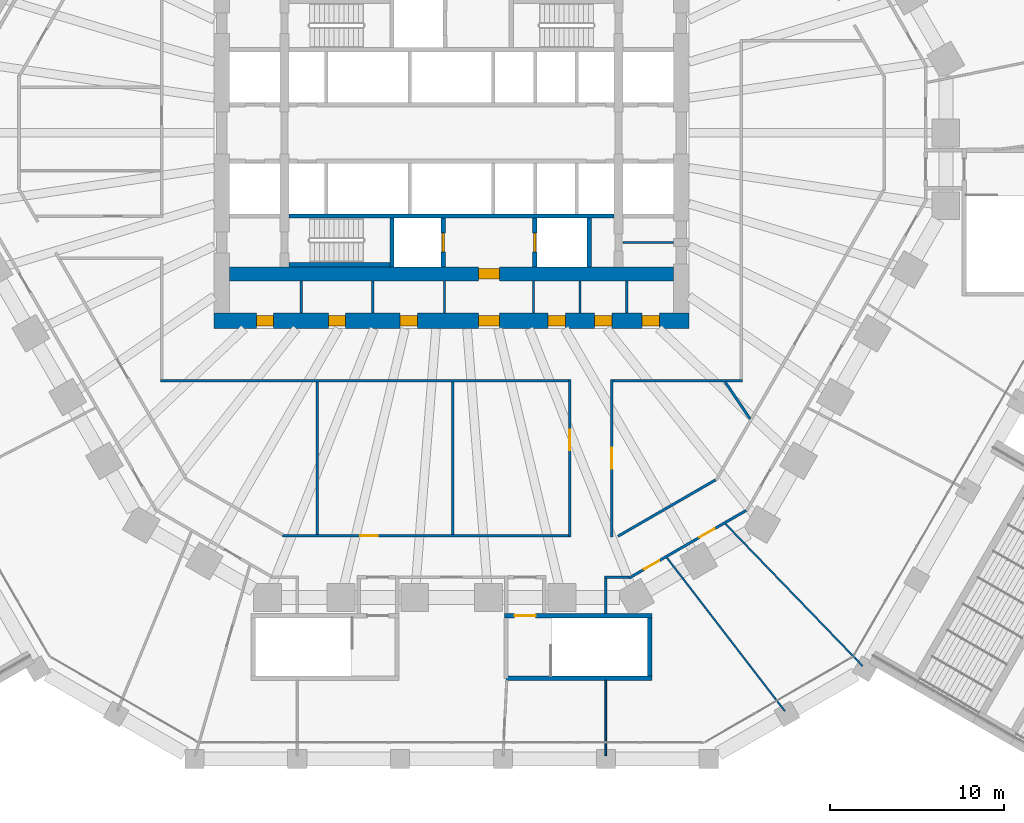
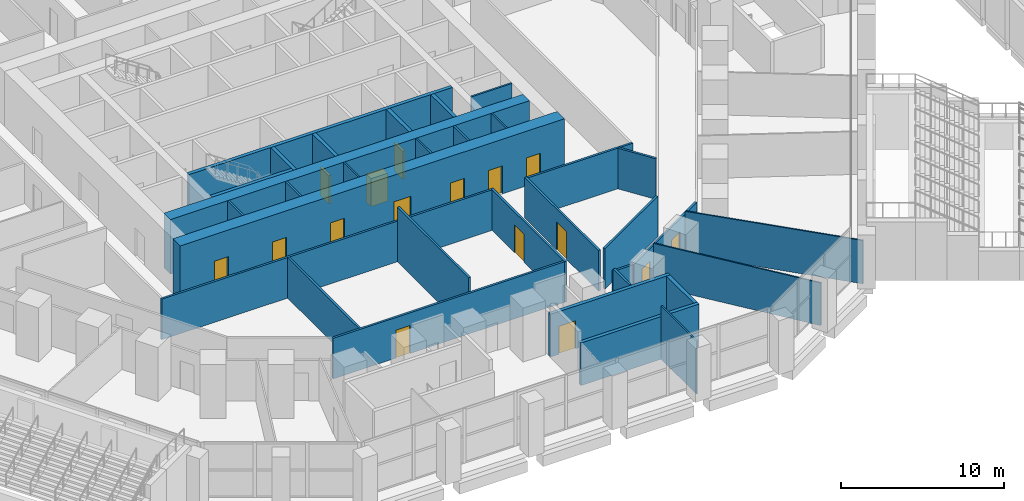
# One storey, part 20 of 38: 33 walls, 16 doors, 16 openings.
"""IFC4 building model written with IfcOpenShell, lengths in metres."""

from ifc_helpers import new_model, si_unit, direction, frame, frame_2d, origin, place, context, subcontext, project, spatial, rectangle, extrude, material, layer, layer_set, type_object, element, fill, save


model = new_model("IFC4")

# Units and contexts
model_context = context("Model", 3, precision=1e-05, world=origin(), true_north=direction((0.0, 1.0)))
body_context = subcontext(model_context, "Body", "Model", "MODEL_VIEW")
ifc_project = project(units=[si_unit("LENGTHUNIT", "METRE"), si_unit("AREAUNIT", "SQUARE_METRE"), si_unit("VOLUMEUNIT", "CUBIC_METRE"), si_unit("PLANEANGLEUNIT", "RADIAN"), si_unit("MASSUNIT", "GRAM", prefix="KILO")], contexts=[model_context])

# Site, building, storey
site_placement = place(None, origin())
site = spatial("IfcSite", under=ifc_project, at=site_placement, CompositionType="ELEMENT")
building_placement = place(site_placement, origin())
building = spatial("IfcBuilding", under=site, at=building_placement, Name="Frailejon Research Tower", CompositionType="ELEMENT")
storey_placement = place(building_placement, frame((0.0, 0.0, 10.199951171875)))
storey = spatial("IfcBuildingStorey", under=building, at=storey_placement, Name="L02", CompositionType="ELEMENT", Elevation=10.199951171875)

# Walls
ifc_material_1 = material(Name="Plasterboard on steel studs", Category="steel")
ifc_layer_1 = layer(ifc_material_1, 0.125)
ifc_layer_set_1 = layer_set([ifc_layer_1], Name="Core partition 125")
wall_type_1 = type_object("IfcWallType", Name="Core partition 125", PredefinedType="PARTITIONING", material=ifc_layer_set_1)
wall_1_placement = place(storey_placement, frame((9.85009765625, -6.300048828125, 0.0), z_axis=(0.0, 0.0, 1.0), x_axis=(1.0, 0.0, 0.0)))
element("IfcWall", 1, at=wall_1_placement, inside=storey, type_object=wall_type_1, Name="Core partition", PredefinedType="PARTITIONING", context=body_context, shape_type="SweptSolid", body=[
    extrude(rectangle(XDim=2.89990234375, YDim=0.125, at=frame_2d((1.449951171875, 0.0))), origin(), (0.0, 0.0, 1.0), 4.10009765625),
])
for number, where, z_axis, x_axis, name in (
    (2, (-8.637451171875, -10.35009765625, 0.0), (0.0, 0.0, 1.0), (0.0, 1.0, 0.0), "Core partition"),
    (3, (-4.52490234375, -10.35009765625, 0.0), (0.0, 0.0, 1.0), (0.0, 1.0, 0.0), "Core partition"),
    (4, (-0.41259765625, -10.35009765625, 0.0), (0.0, 0.0, 1.0), (0.0, 1.0, 0.0), "Core partition"),
    (5, (4.71240234375, -10.35009765625, 0.0), (0.0, 0.0, 1.0), (0.0, 1.0, 0.0), "Core partition"),
    (6, (7.3916015625, -10.35009765625, 0.0), (0.0, 0.0, 1.0), (0.0, 1.0, 0.0), "Core partition"),
    (7, (10.07080078125, -10.35009765625, 0.0), (0.0, 0.0, 1.0), (0.0, 1.0, 0.0), "Core partition"),
):
    element("IfcWall", number, at=place(storey_placement, frame(where, z_axis=z_axis, x_axis=x_axis)), inside=storey, type_object=wall_type_1, Name=name, PredefinedType="PARTITIONING", context=body_context, shape_type="SweptSolid", body=[
        extrude(rectangle(XDim=1.85009765625, YDim=0.125, at=frame_2d((0.925048828125, 0.0))), origin(), (0.0, 0.0, 1.0), 4.10009765625),
    ])

# Wall, opening, door
ifc_material_2 = material(Name="Concrete C70/85", Category="concrete")
ifc_layer_2 = layer(ifc_material_2, 0.800048828125)
ifc_layer_set_2 = layer_set([ifc_layer_2], Name="Core shear wall 800 C70/85")
wall_type_2 = type_object("IfcWallType", Name="Core shear wall 800 C70/85", PredefinedType="SHEAR", material=ifc_layer_set_2)
wall_2_placement = place(storey_placement, frame((-12.75, -8.10009765625, 0.0), z_axis=(0.0, 0.0, 1.0), x_axis=(1.0, 0.0, 0.0)))
wall_2 = element("IfcWall", 8, at=wall_2_placement, inside=storey, type_object=wall_type_2, Name="Core shear wall", PredefinedType="SHEAR", context=body_context, shape_type="SweptSolid", body=[
    extrude(rectangle(XDim=25.5, YDim=0.800048828125, at=frame_2d((12.75, 0.0))), origin(), (0.0, 0.0, 1.0), 4.10009765625),
])
opening_1_placement = place(wall_2_placement, frame((14.300048828125, 0.0, 0.0)))
opening_1 = element("IfcOpeningElement", 9, at=opening_1_placement, cuts=wall_2, Name="Opening D3", PredefinedType="OPENING", context=body_context, shape_type="SweptSolid", body=[
    extrude(rectangle(XDim=1.199951171875, YDim=2.10009765625, at=frame_2d((0.60009765625, 1.050048828125))), frame((0.0, 0.409912109375, 0.0), z_axis=(0.0, -1.0, 0.0), x_axis=(1.0, 0.0, 0.0)), (0.0, 0.0, 1.0), 0.820068359375),
])
ifc_material_3 = material(Name="Steel", Category="steel")
door_type_1 = type_object("IfcDoorType", Name="Firefighting lobby door", OperationType="SINGLE_SWING_LEFT", PredefinedType="DOOR", material=ifc_material_3)
door_1_placement = place(opening_1_placement, origin())
door_1 = element("IfcDoor", 10, at=door_1_placement, inside=storey, type_object=door_type_1, Name="Firefighting lobby door", OperationType="SINGLE_SWING_LEFT", OverallHeight=2.10009765625, OverallWidth=1.199951171875, PredefinedType="DOOR", context=body_context, shape_type="SweptSolid", body=[
    extrude(rectangle(XDim=1.199951171875, YDim=2.10009765625, at=frame_2d((0.60009765625, 1.050048828125))), frame((0.0, 0.300048828125, 0.0), z_axis=(0.0, -1.0, 0.0), x_axis=(1.0, 0.0, 0.0)), (0.0, 0.0, 1.0), 0.60009765625),
])
fill(opening_1, door_1)

# Wall, openings, doors
ifc_material_4 = material(Name="Concrete C70/85", Category="concrete")
ifc_layer_3 = layer(ifc_material_4, 0.89990234375)
ifc_layer_set_3 = layer_set([ifc_layer_3], Name="Core shear wall 900 C70/85")
wall_type_3 = type_object("IfcWallType", Name="Core shear wall 900 C70/85", PredefinedType="SHEAR", material=ifc_layer_set_3)
wall_3_placement = place(storey_placement, frame((-13.64990234375, -10.800048828125, 0.0), z_axis=(0.0, 0.0, 1.0), x_axis=(1.0, 0.0, 0.0)))
wall_3 = element("IfcWall", 11, at=wall_3_placement, inside=storey, type_object=wall_type_3, Name="Core shear wall", PredefinedType="SHEAR", context=body_context, shape_type="SweptSolid", body=[
    extrude(rectangle(XDim=27.2998046875, YDim=0.89990234375, at=frame_2d((13.64990234375, 0.0))), origin(), (0.0, 0.0, 1.0), 4.10009765625),
])
opening_2_placement = place(wall_3_placement, frame((2.425048828125, 0.0, 0.0)))
opening_2 = element("IfcOpeningElement", 12, at=opening_2_placement, cuts=wall_3, Name="Opening D4", PredefinedType="OPENING", context=body_context, shape_type="SweptSolid", body=[
    extrude(rectangle(XDim=1.0, YDim=2.10009765625, at=frame_2d((0.5, 1.050048828125))), frame((0.0, 0.4599609375, 0.0), z_axis=(0.0, -1.0, 0.0), x_axis=(1.0, 0.0, 0.0)), (0.0, 0.0, 1.0), 0.919921875),
])
opening_3_placement = place(wall_3_placement, frame((6.568603515625, 0.0, 0.0)))
opening_3 = element("IfcOpeningElement", 13, at=opening_3_placement, cuts=wall_3, Name="Opening D4", PredefinedType="OPENING", context=body_context, shape_type="SweptSolid", body=[
    extrude(rectangle(XDim=1.0, YDim=2.10009765625, at=frame_2d((0.5, 1.050048828125))), frame((0.0, 0.4599609375, 0.0), z_axis=(0.0, -1.0, 0.0), x_axis=(1.0, 0.0, 0.0)), (0.0, 0.0, 1.0), 0.919921875),
])
opening_4_placement = place(wall_3_placement, frame((10.68115234375, 0.0, 0.0)))
opening_4 = element("IfcOpeningElement", 14, at=opening_4_placement, cuts=wall_3, Name="Opening D4", PredefinedType="OPENING", context=body_context, shape_type="SweptSolid", body=[
    extrude(rectangle(XDim=1.0, YDim=2.10009765625, at=frame_2d((0.5, 1.050048828125))), frame((0.0, 0.4599609375, 0.0), z_axis=(0.0, -1.0, 0.0), x_axis=(1.0, 0.0, 0.0)), (0.0, 0.0, 1.0), 0.919921875),
])
opening_5_placement = place(wall_3_placement, frame((19.2021484375, 0.0, 0.0)))
opening_5 = element("IfcOpeningElement", 15, at=opening_5_placement, cuts=wall_3, Name="Opening D4", PredefinedType="OPENING", context=body_context, shape_type="SweptSolid", body=[
    extrude(rectangle(XDim=1.0, YDim=2.10009765625, at=frame_2d((0.5, 1.050048828125))), frame((0.0, 0.4599609375, 0.0), z_axis=(0.0, -1.0, 0.0), x_axis=(1.0, 0.0, 0.0)), (0.0, 0.0, 1.0), 0.919921875),
])
opening_6_placement = place(wall_3_placement, frame((21.881103515625, 0.0, 0.0)))
opening_6 = element("IfcOpeningElement", 16, at=opening_6_placement, cuts=wall_3, Name="Opening D4", PredefinedType="OPENING", context=body_context, shape_type="SweptSolid", body=[
    extrude(rectangle(XDim=1.0, YDim=2.10009765625, at=frame_2d((0.5, 1.050048828125))), frame((0.0, 0.4599609375, 0.0), z_axis=(0.0, -1.0, 0.0), x_axis=(1.0, 0.0, 0.0)), (0.0, 0.0, 1.0), 0.919921875),
])
opening_7_placement = place(wall_3_placement, frame((24.591796875, 0.0, 0.0)))
opening_7 = element("IfcOpeningElement", 17, at=opening_7_placement, cuts=wall_3, Name="Opening D4", PredefinedType="OPENING", context=body_context, shape_type="SweptSolid", body=[
    extrude(rectangle(XDim=1.0, YDim=2.10009765625, at=frame_2d((0.5, 1.050048828125))), frame((0.0, 0.4599609375, 0.0), z_axis=(0.0, -1.0, 0.0), x_axis=(1.0, 0.0, 0.0)), (0.0, 0.0, 1.0), 0.919921875),
])
opening_8_placement = place(wall_3_placement, frame((15.199951171875, 0.0, 0.0)))
opening_8 = element("IfcOpeningElement", 18, at=opening_8_placement, cuts=wall_3, Name="Opening D3", PredefinedType="OPENING", context=body_context, shape_type="SweptSolid", body=[
    extrude(rectangle(XDim=1.199951171875, YDim=2.10009765625, at=frame_2d((0.60009765625, 1.050048828125))), frame((0.0, 0.4599609375, 0.0), z_axis=(0.0, -1.0, 0.0), x_axis=(1.0, 0.0, 0.0)), (0.0, 0.0, 1.0), 0.919921875),
])
door_2_placement = place(opening_8_placement, origin())
door_2 = element("IfcDoor", 19, at=door_2_placement, inside=storey, type_object=door_type_1, Name="Passage door", OperationType="SINGLE_SWING_RIGHT", OverallHeight=2.10009765625, OverallWidth=1.199951171875, PredefinedType="DOOR", context=body_context, shape_type="SweptSolid", body=[
    extrude(rectangle(XDim=1.199951171875, YDim=2.10009765625, at=frame_2d((0.60009765625, 1.050048828125))), frame((0.0, 0.300048828125, 0.0), z_axis=(0.0, -1.0, 0.0), x_axis=(1.0, 0.0, 0.0)), (0.0, 0.0, 1.0), 0.60009765625),
])
fill(opening_8, door_2)
ifc_material_5 = material(Name="Steel", Category="steel")
door_type_2 = type_object("IfcDoorType", Name="Service door", OperationType="SINGLE_SWING_LEFT", PredefinedType="DOOR", material=ifc_material_5)
door_3_placement = place(opening_2_placement, origin())
door_3 = element("IfcDoor", 20, at=door_3_placement, inside=storey, type_object=door_type_2, Name="Room door", OperationType="SINGLE_SWING_RIGHT", OverallHeight=2.10009765625, OverallWidth=1.0, PredefinedType="DOOR", context=body_context, shape_type="SweptSolid", body=[
    extrude(rectangle(XDim=1.0, YDim=2.10009765625, at=frame_2d((0.5, 1.050048828125))), frame((0.0, 0.300048828125, 0.0), z_axis=(0.0, -1.0, 0.0), x_axis=(1.0, 0.0, 0.0)), (0.0, 0.0, 1.0), 0.60009765625),
])
fill(opening_2, door_3)
door_4_placement = place(opening_3_placement, origin())
door_4 = element("IfcDoor", 21, at=door_4_placement, inside=storey, type_object=door_type_2, Name="Room door", OperationType="SINGLE_SWING_LEFT", OverallHeight=2.10009765625, OverallWidth=1.0, PredefinedType="DOOR", context=body_context, shape_type="SweptSolid", body=[
    extrude(rectangle(XDim=1.0, YDim=2.10009765625, at=frame_2d((0.5, 1.050048828125))), frame((0.0, 0.300048828125, 0.0), z_axis=(0.0, -1.0, 0.0), x_axis=(1.0, 0.0, 0.0)), (0.0, 0.0, 1.0), 0.60009765625),
])
fill(opening_3, door_4)
door_5_placement = place(opening_4_placement, origin())
door_5 = element("IfcDoor", 22, at=door_5_placement, inside=storey, type_object=door_type_2, Name="Room door", OperationType="SINGLE_SWING_RIGHT", OverallHeight=2.10009765625, OverallWidth=1.0, PredefinedType="DOOR", context=body_context, shape_type="SweptSolid", body=[
    extrude(rectangle(XDim=1.0, YDim=2.10009765625, at=frame_2d((0.5, 1.050048828125))), frame((0.0, 0.300048828125, 0.0), z_axis=(0.0, -1.0, 0.0), x_axis=(1.0, 0.0, 0.0)), (0.0, 0.0, 1.0), 0.60009765625),
])
fill(opening_4, door_5)
door_6_placement = place(opening_5_placement, origin())
door_6 = element("IfcDoor", 23, at=door_6_placement, inside=storey, type_object=door_type_2, Name="Room door", OperationType="SINGLE_SWING_LEFT", OverallHeight=2.10009765625, OverallWidth=1.0, PredefinedType="DOOR", context=body_context, shape_type="SweptSolid", body=[
    extrude(rectangle(XDim=1.0, YDim=2.10009765625, at=frame_2d((0.5, 1.050048828125))), frame((0.0, 0.300048828125, 0.0), z_axis=(0.0, -1.0, 0.0), x_axis=(1.0, 0.0, 0.0)), (0.0, 0.0, 1.0), 0.60009765625),
])
fill(opening_5, door_6)
door_7_placement = place(opening_6_placement, origin())
door_7 = element("IfcDoor", 24, at=door_7_placement, inside=storey, type_object=door_type_2, Name="Room door", OperationType="SINGLE_SWING_RIGHT", OverallHeight=2.10009765625, OverallWidth=1.0, PredefinedType="DOOR", context=body_context, shape_type="SweptSolid", body=[
    extrude(rectangle(XDim=1.0, YDim=2.10009765625, at=frame_2d((0.5, 1.050048828125))), frame((0.0, 0.300048828125, 0.0), z_axis=(0.0, -1.0, 0.0), x_axis=(1.0, 0.0, 0.0)), (0.0, 0.0, 1.0), 0.60009765625),
])
fill(opening_6, door_7)
door_8_placement = place(opening_7_placement, origin())
door_8 = element("IfcDoor", 25, at=door_8_placement, inside=storey, type_object=door_type_2, Name="Room door", OperationType="SINGLE_SWING_LEFT", OverallHeight=2.10009765625, OverallWidth=1.0, PredefinedType="DOOR", context=body_context, shape_type="SweptSolid", body=[
    extrude(rectangle(XDim=1.0, YDim=2.10009765625, at=frame_2d((0.5, 1.050048828125))), frame((0.0, 0.300048828125, 0.0), z_axis=(0.0, -1.0, 0.0), x_axis=(1.0, 0.0, 0.0)), (0.0, 0.0, 1.0), 0.60009765625),
])
fill(opening_7, door_8)

# Wall
ifc_material_6 = material(Name="Gypsum board and masonry partition", Category="masonry")
ifc_layer_4 = layer(ifc_material_6, 0.14990234375)
ifc_layer_set_4 = layer_set([ifc_layer_4], Name="Corridor wall EI 60, gypsum on steel studs 150")
wall_type_4 = type_object("IfcWallType", Name="Corridor wall EI 60, gypsum on steel studs 150", PredefinedType="PARTITIONING", material=ifc_layer_set_4)
wall_4_placement = place(storey_placement, frame((8.870849609375, -27.625, 0.0), z_axis=(0.0, 0.0, 1.0), x_axis=(0.0, 1.0, 0.0)))
element("IfcWall", 26, at=wall_4_placement, inside=storey, type_object=wall_type_4, Name="T:IW:L02:012", PredefinedType="PARTITIONING", context=body_context, shape_type="SweptSolid", body=[
    extrude(rectangle(XDim=2.0, YDim=0.14990234375, at=frame_2d((1.0, 0.0))), origin(), (0.0, 0.0, 1.0), 3.25),
])

# Wall, opening, door
wall_5_placement = place(storey_placement, frame((-9.70361328125, -23.14990234375, 0.0), z_axis=(0.0, 0.0, 1.0), x_axis=(1.0, 0.0, 0.0)))
wall_5 = element("IfcWall", 27, at=wall_5_placement, inside=storey, type_object=wall_type_4, Name="T:IW:L02:030", PredefinedType="PARTITIONING", context=body_context, shape_type="SweptSolid", body=[
    extrude(rectangle(XDim=16.4287109375, YDim=0.14990234375, at=frame_2d((8.21435546875, 0.0))), origin(), (0.0, 0.0, 1.0), 3.050048828125),
])
opening_9_placement = place(wall_5_placement, frame((4.46923828125, 0.0, 0.0)))
opening_9 = element("IfcOpeningElement", 28, at=opening_9_placement, cuts=wall_5, Name="Opening D1087", PredefinedType="OPENING", context=body_context, shape_type="SweptSolid", body=[
    extrude(rectangle(XDim=1.0, YDim=2.10009765625, at=frame_2d((0.5, 1.050048828125))), frame((0.0, 0.0849609375, 0.0), z_axis=(0.0, -1.0, 0.0), x_axis=(1.0, 0.0, 0.0)), (0.0, 0.0, 1.0), 0.169921875),
])
ifc_material_7 = material(Name="Timber door leaf", Category="wood")
door_type_3 = type_object("IfcDoorType", Name="Door laboratory, timber, vision panel 1000", OperationType="NOTDEFINED", PredefinedType="DOOR", material=ifc_material_7)
door_9_placement = place(opening_9_placement, origin())
door_9 = element("IfcDoor", 29, at=door_9_placement, inside=storey, type_object=door_type_3, Name="D1087", OperationType="SINGLE_SWING_RIGHT", OverallHeight=2.10009765625, OverallWidth=1.0, PredefinedType="DOOR", context=body_context, shape_type="SweptSolid", body=[
    extrude(rectangle(XDim=1.0, YDim=2.10009765625, at=frame_2d((0.5, 1.050048828125))), frame((0.0, 0.02490234375, 0.0), z_axis=(0.0, -1.0, 0.0), x_axis=(1.0, 0.0, 0.0)), (0.0, 0.0, 1.0), 0.050048828125),
])
fill(opening_9, door_9)

# Wall
wall_6_placement = place(storey_placement, frame((8.7958984375, -25.550048828125, 0.0), z_axis=(0.0, 0.0, 1.0), x_axis=(1.0, 0.0, 0.0)))
element("IfcWall", 30, at=wall_6_placement, inside=storey, type_object=wall_type_4, Name="T:IW:L02:033", PredefinedType="PARTITIONING", context=body_context, shape_type="SweptSolid", body=[
    extrude(rectangle(XDim=1.40087890625, YDim=0.14990234375, at=frame_2d((0.700439453125, 0.0))), origin(), (0.0, 0.0, 1.0), 3.050048828125),
])

# Wall, openings, doors
wall_7_placement = place(storey_placement, frame((10.206787109375, -25.58740234375, 0.0), z_axis=(0.0, 0.0, 1.0), x_axis=(0.866023143435, 0.50000391502, 0.0)))
wall_7 = element("IfcWall", 31, at=wall_7_placement, inside=storey, type_object=wall_type_4, Name="T:IW:L02:034", PredefinedType="PARTITIONING", context=body_context, shape_type="SweptSolid", body=[
    extrude(rectangle(XDim=7.7587890625, YDim=0.14990234375, at=frame_2d((3.87939453125, 0.0))), origin(), (0.0, 0.0, 1.0), 3.050048828125),
])
opening_10_placement = place(wall_7_placement, frame((1.00244140625, 0.0, 0.0)))
opening_10 = element("IfcOpeningElement", 32, at=opening_10_placement, cuts=wall_7, Name="Opening D1091", PredefinedType="OPENING", context=body_context, shape_type="SweptSolid", body=[
    extrude(rectangle(XDim=1.0, YDim=2.10009765625, at=frame_2d((0.5, 1.050048828125))), frame((0.0, 0.0849609375, 0.0), z_axis=(0.0, -1.0, 0.0), x_axis=(1.0, 0.0, 0.0)), (0.0, 0.0, 1.0), 0.169921875),
])
opening_11_placement = place(wall_7_placement, frame((4.656982421875, 0.0, 0.0)))
opening_11 = element("IfcOpeningElement", 33, at=opening_11_placement, cuts=wall_7, Name="Opening D1092", PredefinedType="OPENING", context=body_context, shape_type="SweptSolid", body=[
    extrude(rectangle(XDim=1.0, YDim=2.10009765625, at=frame_2d((0.5, 1.050048828125))), frame((0.0, 0.0849609375, 0.0), z_axis=(0.0, -1.0, 0.0), x_axis=(1.0, 0.0, 0.0)), (0.0, 0.0, 1.0), 0.169921875),
])
ifc_material_8 = material(Name="Timber door leaf", Category="wood")
door_type_4 = type_object("IfcDoorType", Name="Door single leaf, timber, steel frame 1000", OperationType="NOTDEFINED", PredefinedType="DOOR", material=ifc_material_8)
door_10_placement = place(opening_10_placement, origin())
door_10 = element("IfcDoor", 34, at=door_10_placement, inside=storey, type_object=door_type_4, Name="D1091", OperationType="SINGLE_SWING_LEFT", OverallHeight=2.10009765625, OverallWidth=1.0, PredefinedType="DOOR", context=body_context, shape_type="SweptSolid", body=[
    extrude(rectangle(XDim=1.0, YDim=2.10009765625, at=frame_2d((0.5, 1.050048828125))), frame((0.0, 0.02490234375, 0.0), z_axis=(0.0, -1.0, 0.0), x_axis=(1.0, 0.0, 0.0)), (0.0, 0.0, 1.0), 0.050048828125),
])
fill(opening_10, door_10)
door_11_placement = place(opening_11_placement, origin())
door_11 = element("IfcDoor", 35, at=door_11_placement, inside=storey, type_object=door_type_4, Name="D1092", OperationType="SINGLE_SWING_LEFT", OverallHeight=2.10009765625, OverallWidth=1.0, PredefinedType="DOOR", context=body_context, shape_type="SweptSolid", body=[
    extrude(rectangle(XDim=1.0, YDim=2.10009765625, at=frame_2d((0.5, 1.050048828125))), frame((0.0, 0.02490234375, 0.0), z_axis=(0.0, -1.0, 0.0), x_axis=(1.0, 0.0, 0.0)), (0.0, 0.0, 1.0), 0.050048828125),
])
fill(opening_11, door_11)

# Walls
wall_8_placement = place(storey_placement, frame((9.563720703125, -23.1875, 0.0), z_axis=(0.0, 0.0, 1.0), x_axis=(0.866024786089, 0.500001069878, 0.0)))
element("IfcWall", 36, at=wall_8_placement, inside=storey, type_object=wall_type_4, Name="T:IW:L02:035", PredefinedType="PARTITIONING", context=body_context, shape_type="SweptSolid", body=[
    extrude(rectangle(XDim=6.47265625, YDim=0.14990234375, at=frame_2d((3.236328125, 0.0))), origin(), (0.0, 0.0, 1.0), 3.050048828125),
])
wall_9_placement = place(storey_placement, frame((-16.72509765625, -14.25, 0.0), z_axis=(0.0, 0.0, 1.0), x_axis=(1.0, 0.0, 0.0)))
element("IfcWall", 37, at=wall_9_placement, inside=storey, type_object=wall_type_4, Name="T:IW:L02:047", PredefinedType="PARTITIONING", context=body_context, shape_type="SweptSolid", body=[
    extrude(rectangle(XDim=23.4501953125, YDim=0.14990234375, at=frame_2d((11.72509765625, 0.0))), origin(), (0.0, 0.0, 1.0), 3.050048828125),
])
wall_10_placement = place(storey_placement, frame((9.27490234375, -14.25, 0.0), z_axis=(0.0, 0.0, 1.0), x_axis=(1.0, 0.0, 0.0)))
element("IfcWall", 38, at=wall_10_placement, inside=storey, type_object=wall_type_4, Name="T:IW:L02:048", PredefinedType="PARTITIONING", context=body_context, shape_type="SweptSolid", body=[
    extrude(rectangle(XDim=7.4501953125, YDim=0.14990234375, at=frame_2d((3.72509765625, 0.0))), origin(), (0.0, 0.0, 1.0), 3.050048828125),
])

# Wall, opening, door
wall_11_placement = place(storey_placement, frame((6.800048828125, -23.22509765625, 0.0), z_axis=(0.0, 0.0, 1.0), x_axis=(0.0, 1.0, 0.0)))
wall_11 = element("IfcWall", 39, at=wall_11_placement, inside=storey, type_object=wall_type_4, Name="T:IW:L02:051", PredefinedType="PARTITIONING", context=body_context, shape_type="SweptSolid", body=[
    extrude(rectangle(XDim=9.050048828125, YDim=0.14990234375, at=frame_2d((4.52490234375, 0.0))), origin(), (0.0, 0.0, 1.0), 3.050048828125),
])
opening_12_placement = place(wall_11_placement, frame((4.97509765625, 0.0, 0.0)))
opening_12 = element("IfcOpeningElement", 40, at=opening_12_placement, cuts=wall_11, Name="Opening D1089", PredefinedType="OPENING", context=body_context, shape_type="SweptSolid", body=[
    extrude(rectangle(XDim=1.199951171875, YDim=2.10009765625, at=frame_2d((0.60009765625, 1.050048828125))), frame((0.0, 0.0849609375, 0.0), z_axis=(0.0, -1.0, 0.0), x_axis=(1.0, 0.0, 0.0)), (0.0, 0.0, 1.0), 0.169921875),
])
ifc_material_9 = material(Name="Timber door leaf", Category="wood")
door_type_5 = type_object("IfcDoorType", Name="Door single leaf, timber, steel frame 1200", OperationType="NOTDEFINED", PredefinedType="DOOR", material=ifc_material_9)
door_12_placement = place(opening_12_placement, origin())
door_12 = element("IfcDoor", 41, at=door_12_placement, inside=storey, type_object=door_type_5, Name="D1089", OperationType="DOUBLE_DOOR_SINGLE_SWING", OverallHeight=2.10009765625, OverallWidth=1.199951171875, PredefinedType="DOOR", context=body_context, shape_type="SweptSolid", body=[
    extrude(rectangle(XDim=1.199951171875, YDim=2.10009765625, at=frame_2d((0.60009765625, 1.050048828125))), frame((0.0, 0.02490234375, 0.0), z_axis=(0.0, -1.0, 0.0), x_axis=(1.0, 0.0, 0.0)), (0.0, 0.0, 1.0), 0.050048828125),
])
fill(opening_12, door_12)

wall_12_placement = place(storey_placement, frame((9.199951171875, -23.22509765625, 0.0), z_axis=(0.0, 0.0, 1.0), x_axis=(0.0, 1.0, 0.0)))
wall_12 = element("IfcWall", 42, at=wall_12_placement, inside=storey, type_object=wall_type_4, Name="T:IW:L02:052", PredefinedType="PARTITIONING", context=body_context, shape_type="SweptSolid", body=[
    extrude(rectangle(XDim=9.050048828125, YDim=0.14990234375, at=frame_2d((4.52490234375, 0.0))), origin(), (0.0, 0.0, 1.0), 3.050048828125),
])
opening_13_placement = place(wall_12_placement, frame((3.925048828125, 0.0, 0.0)))
opening_13 = element("IfcOpeningElement", 43, at=opening_13_placement, cuts=wall_12, Name="Opening D1093", PredefinedType="OPENING", context=body_context, shape_type="SweptSolid", body=[
    extrude(rectangle(XDim=1.199951171875, YDim=2.10009765625, at=frame_2d((0.60009765625, 1.050048828125))), frame((0.0, 0.0849609375, 0.0), z_axis=(0.0, -1.0, 0.0), x_axis=(1.0, 0.0, 0.0)), (0.0, 0.0, 1.0), 0.169921875),
])
door_13_placement = place(opening_13_placement, origin())
door_13 = element("IfcDoor", 44, at=door_13_placement, inside=storey, type_object=door_type_5, Name="D1093", OperationType="DOUBLE_DOOR_SINGLE_SWING", OverallHeight=2.10009765625, OverallWidth=1.199951171875, PredefinedType="DOOR", context=body_context, shape_type="SweptSolid", body=[
    extrude(rectangle(XDim=1.199951171875, YDim=2.10009765625, at=frame_2d((0.60009765625, 1.050048828125))), frame((0.0, 0.02490234375, 0.0), z_axis=(0.0, -1.0, 0.0), x_axis=(1.0, 0.0, 0.0)), (0.0, 0.0, 1.0), 0.050048828125),
])
fill(opening_13, door_13)

# Walls
ifc_material_10 = material(Name="Gypsum board and masonry partition", Category="masonry")
ifc_layer_5 = layer(ifc_material_10, 0.14990234375)
ifc_layer_set_5 = layer_set([ifc_layer_5], Name="Laboratory partition, blockwork 150")
wall_type_5 = type_object("IfcWallType", Name="Laboratory partition, blockwork 150", PredefinedType="PARTITIONING", material=ifc_layer_set_5)
wall_13_placement = place(storey_placement, frame((-7.719482421875, -23.074951171875, 0.0), z_axis=(0.0, 0.0, 1.0), x_axis=(0.0, 1.0, 0.0)))
element("IfcWall", 45, at=wall_13_placement, inside=storey, type_object=wall_type_5, Name="T:IW:L02:076", PredefinedType="PARTITIONING", context=body_context, shape_type="SweptSolid", body=[
    extrude(rectangle(XDim=8.75, YDim=0.14990234375, at=frame_2d((4.375, 0.0))), origin(), (0.0, 0.0, 1.0), 3.050048828125),
])
wall_14_placement = place(storey_placement, frame((0.08056640625, -23.074951171875, 0.0), z_axis=(0.0, 0.0, 1.0), x_axis=(0.0, 1.0, 0.0)))
element("IfcWall", 46, at=wall_14_placement, inside=storey, type_object=wall_type_5, Name="T:IW:L02:077", PredefinedType="PARTITIONING", context=body_context, shape_type="SweptSolid", body=[
    extrude(rectangle(XDim=8.75, YDim=0.14990234375, at=frame_2d((4.375, 0.0))), origin(), (0.0, 0.0, 1.0), 4.10009765625),
])
wall_15_placement = place(storey_placement, frame((15.72265625, -14.31201171875, 0.0), z_axis=(0.0, 0.0, 1.0), x_axis=(0.560499223745, -0.828154949379, 0.0)))
element("IfcWall", 47, at=wall_15_placement, inside=storey, type_object=wall_type_5, Name="T:IW:L02:078", PredefinedType="PARTITIONING", context=body_context, shape_type="SweptSolid", body=[
    extrude(rectangle(XDim=2.568603515625, YDim=0.14990234375, at=frame_2d((1.2841796875, 0.0))), origin(), (0.0, 0.0, 1.0), 3.050048828125),
])
ifc_material_11 = material(Name="Gypsum board and masonry partition", Category="masonry")
ifc_layer_6 = layer(ifc_material_11, 0.10009765625)
ifc_layer_set_6 = layer_set([ifc_layer_6], Name="Partition, gypsum on steel studs 100")
wall_type_6 = type_object("IfcWallType", Name="Partition, gypsum on steel studs 100", PredefinedType="PARTITIONING", material=ifc_layer_set_6)
wall_16_placement = place(storey_placement, frame((8.870849609375, -35.800048828125, 0.0), z_axis=(0.0, 0.0, 1.0), x_axis=(0.0, 1.0, 0.0)))
element("IfcWall", 48, at=wall_16_placement, inside=storey, type_object=wall_type_6, Name="T:IW:L02:085", PredefinedType="PARTITIONING", context=body_context, shape_type="SweptSolid", body=[
    extrude(rectangle(XDim=4.324951171875, YDim=0.10009765625, at=frame_2d((2.16259765625, 0.0))), origin(), (0.0, 0.0, 1.0), 4.0),
])
wall_17_placement = place(storey_placement, frame((12.378173828125, -24.419677734375, 0.0), z_axis=(0.0, 0.0, 1.0), x_axis=(0.609546416877, -0.79275038043, 0.0)))
element("IfcWall", 49, at=wall_17_placement, inside=storey, type_object=wall_type_6, Name="T:IW:L02:103", PredefinedType="PARTITIONING", context=body_context, shape_type="SweptSolid", body=[
    extrude(rectangle(XDim=11.128662109375, YDim=0.10009765625, at=frame_2d((5.564453125, 0.0))), origin(), (0.0, 0.0, 1.0), 3.199951171875),
])
wall_18_placement = place(storey_placement, frame((15.744140625, -22.474609375, 0.0), z_axis=(0.0, 0.0, 1.0), x_axis=(0.694530893364, -0.719462881713, 0.0)))
element("IfcWall", 50, at=wall_18_placement, inside=storey, type_object=wall_type_6, Name="T:IW:L02:104", PredefinedType="PARTITIONING", context=body_context, shape_type="SweptSolid", body=[
    extrude(rectangle(XDim=11.368896484375, YDim=0.10009765625, at=frame_2d((5.6845703125, 0.0))), origin(), (0.0, 0.0, 1.0), 3.25),
])
ifc_material_12 = material(Name="Concrete C70/85", Category="concrete")
ifc_layer_7 = layer(ifc_material_12, 0.25)
ifc_layer_set_7 = layer_set([ifc_layer_7], Name="Shaft wall 250 C70/85")
wall_type_7 = type_object("IfcWallType", Name="Shaft wall 250 C70/85", PredefinedType="SOLIDWALL", material=ifc_layer_set_7)
wall_19_placement = place(storey_placement, frame((-9.35009765625, -4.77490234375, 0.0), z_axis=(0.0, 0.0, 1.0), x_axis=(1.0, 0.0, 0.0)))
element("IfcWall", 51, at=wall_19_placement, inside=storey, type_object=wall_type_7, Name="Shaft wall", PredefinedType="SOLIDWALL", context=body_context, shape_type="SweptSolid", body=[
    extrude(rectangle(XDim=18.7001953125, YDim=0.25, at=frame_2d((9.35009765625, 0.0))), origin(), (0.0, 0.0, 1.0), 4.10009765625),
])
wall_20_placement = place(storey_placement, frame((-9.35009765625, -7.574951171875, 0.0), z_axis=(0.0, 0.0, 1.0), x_axis=(1.0, 0.0, 0.0)))
element("IfcWall", 52, at=wall_20_placement, inside=storey, type_object=wall_type_7, Name="Shaft wall", PredefinedType="SOLIDWALL", context=body_context, shape_type="SweptSolid", body=[
    extrude(rectangle(XDim=5.800048828125, YDim=0.25, at=frame_2d((2.89990234375, 0.0))), origin(), (0.0, 0.0, 1.0), 4.10009765625),
])
wall_21_placement = place(storey_placement, frame((-3.425048828125, -7.699951171875, 0.0), z_axis=(0.0, 0.0, 1.0), x_axis=(0.0, 1.0, 0.0)))
element("IfcWall", 53, at=wall_21_placement, inside=storey, type_object=wall_type_7, Name="Shaft wall", PredefinedType="SOLIDWALL", context=body_context, shape_type="SweptSolid", body=[
    extrude(rectangle(XDim=2.800048828125, YDim=0.25, at=frame_2d((1.39990234375, 0.0))), origin(), (0.0, 0.0, 1.0), 4.10009765625),
])

# Wall, opening, door
wall_22_placement = place(storey_placement, frame((-0.47509765625, -7.699951171875, 0.0), z_axis=(0.0, 0.0, 1.0), x_axis=(0.0, 1.0, 0.0)))
wall_22 = element("IfcWall", 54, at=wall_22_placement, inside=storey, type_object=wall_type_7, Name="Shaft wall", PredefinedType="SOLIDWALL", context=body_context, shape_type="SweptSolid", body=[
    extrude(rectangle(XDim=2.800048828125, YDim=0.25, at=frame_2d((1.39990234375, 0.0))), origin(), (0.0, 0.0, 1.0), 4.10009765625),
])
opening_14_placement = place(wall_22_placement, frame((0.85009765625, 0.0, 0.0)))
opening_14 = element("IfcOpeningElement", 55, at=opening_14_placement, cuts=wall_22, Name="Opening LD", PredefinedType="OPENING", context=body_context, shape_type="SweptSolid", body=[
    extrude(rectangle(XDim=1.10009765625, YDim=2.10009765625, at=frame_2d((0.550048828125, 1.050048828125))), frame((0.0, 0.135009765625, 0.0), z_axis=(0.0, -1.0, 0.0), x_axis=(1.0, 0.0, 0.0)), (0.0, 0.0, 1.0), 0.27001953125),
])
ifc_material_13 = material(Name="Steel", Category="steel")
door_type_6 = type_object("IfcDoorType", Name="Lift landing door", OperationType="DOUBLE_DOOR_SLIDING", PredefinedType="DOOR", material=ifc_material_13)
door_14_placement = place(opening_14_placement, origin())
door_14 = element("IfcDoor", 56, at=door_14_placement, inside=storey, type_object=door_type_6, Name="Lift landing door", OperationType="DOUBLE_DOOR_SLIDING", OverallHeight=2.10009765625, OverallWidth=1.10009765625, PredefinedType="DOOR", context=body_context, shape_type="SweptSolid", body=[
    extrude(rectangle(XDim=1.10009765625, YDim=2.10009765625, at=frame_2d((0.550048828125, 1.050048828125))), frame((0.0, 0.074951171875, 0.0), z_axis=(0.0, -1.0, 0.0), x_axis=(1.0, 0.0, 0.0)), (0.0, 0.0, 1.0), 0.14990234375),
])
fill(opening_14, door_14)

wall_23_placement = place(storey_placement, frame((4.77490234375, -7.699951171875, 0.0), z_axis=(0.0, 0.0, 1.0), x_axis=(0.0, 1.0, 0.0)))
wall_23 = element("IfcWall", 57, at=wall_23_placement, inside=storey, type_object=wall_type_7, Name="Shaft wall", PredefinedType="SOLIDWALL", context=body_context, shape_type="SweptSolid", body=[
    extrude(rectangle(XDim=2.800048828125, YDim=0.25, at=frame_2d((1.39990234375, 0.0))), origin(), (0.0, 0.0, 1.0), 4.10009765625),
])
opening_15_placement = place(wall_23_placement, frame((0.85009765625, 0.0, 0.0)))
opening_15 = element("IfcOpeningElement", 58, at=opening_15_placement, cuts=wall_23, Name="Opening LD", PredefinedType="OPENING", context=body_context, shape_type="SweptSolid", body=[
    extrude(rectangle(XDim=1.10009765625, YDim=2.10009765625, at=frame_2d((0.550048828125, 1.050048828125))), frame((0.0, 0.135009765625, 0.0), z_axis=(0.0, -1.0, 0.0), x_axis=(1.0, 0.0, 0.0)), (0.0, 0.0, 1.0), 0.27001953125),
])
door_15_placement = place(opening_15_placement, origin())
door_15 = element("IfcDoor", 59, at=door_15_placement, inside=storey, type_object=door_type_6, Name="Lift landing door", OperationType="DOUBLE_DOOR_SLIDING", OverallHeight=2.10009765625, OverallWidth=1.10009765625, PredefinedType="DOOR", context=body_context, shape_type="SweptSolid", body=[
    extrude(rectangle(XDim=1.10009765625, YDim=2.10009765625, at=frame_2d((0.550048828125, 1.050048828125))), frame((0.0, 0.074951171875, 0.0), z_axis=(0.0, -1.0, 0.0), x_axis=(1.0, 0.0, 0.0)), (0.0, 0.0, 1.0), 0.14990234375),
])
fill(opening_15, door_15)

# Walls
wall_24_placement = place(storey_placement, frame((7.925048828125, -7.699951171875, 0.0), z_axis=(0.0, 0.0, 1.0), x_axis=(0.0, 1.0, 0.0)))
element("IfcWall", 60, at=wall_24_placement, inside=storey, type_object=wall_type_7, Name="Shaft wall", PredefinedType="SOLIDWALL", context=body_context, shape_type="SweptSolid", body=[
    extrude(rectangle(XDim=2.800048828125, YDim=0.25, at=frame_2d((1.39990234375, 0.0))), origin(), (0.0, 0.0, 1.0), 4.10009765625),
])
ifc_material_14 = material(Name="Concrete C50/60", Category="concrete")
ifc_layer_8 = layer(ifc_material_14, 0.25)
ifc_layer_set_8 = layer_set([ifc_layer_8], Name="Stair enclosure wall EI 120, Concrete C50/60 250")
wall_type_8 = type_object("IfcWallType", Name="Stair enclosure wall EI 120, Concrete C50/60 250", PredefinedType="SOLIDWALL", material=ifc_layer_set_8)
wall_25_placement = place(storey_placement, frame((11.40185546875, -31.22509765625, 0.0), z_axis=(0.0, 0.0, 1.0), x_axis=(0.0, 1.0, 0.0)))
element("IfcWall", 61, at=wall_25_placement, inside=storey, type_object=wall_type_8, Name="T:IW:L02:118", PredefinedType="SOLIDWALL", context=body_context, shape_type="SweptSolid", body=[
    extrude(rectangle(XDim=3.35009765625, YDim=0.25, at=frame_2d((1.675048828125, 0.0))), origin(), (0.0, 0.0, 1.0), 3.199951171875),
])

# Wall, opening, door
wall_26_placement = place(storey_placement, frame((3.031982421875, -27.75, 0.0), z_axis=(0.0, 0.0, 1.0), x_axis=(1.0, 0.0, 0.0)))
wall_26 = element("IfcWall", 62, at=wall_26_placement, inside=storey, type_object=wall_type_8, Name="T:IW:L02:121", PredefinedType="SOLIDWALL", context=body_context, shape_type="SweptSolid", body=[
    extrude(rectangle(XDim=8.494873046875, YDim=0.25, at=frame_2d((4.24755859375, 0.0))), origin(), (0.0, 0.0, 1.0), 3.199951171875),
])
opening_16_placement = place(wall_26_placement, frame((1.800048828125, 0.0, 0.0), z_axis=(0.0, 0.0, 1.0), x_axis=(-1.0, 0.0, 0.0)))
opening_16 = element("IfcOpeningElement", 63, at=opening_16_placement, cuts=wall_26, Name="Opening PSD33", PredefinedType="OPENING", context=body_context, shape_type="SweptSolid", body=[
    extrude(rectangle(XDim=1.199951171875, YDim=2.10009765625, at=frame_2d((0.60009765625, 1.050048828125))), frame((0.0, 0.135009765625, 0.0), z_axis=(0.0, -1.0, 0.0), x_axis=(1.0, 0.0, 0.0)), (0.0, 0.0, 1.0), 0.27001953125),
])
ifc_material_15 = material(Name="Steel door leaf", Category="steel")
door_type_7 = type_object("IfcDoorType", Name="Door exit passage, steel, fire rated 1200", OperationType="NOTDEFINED", PredefinedType="DOOR", material=ifc_material_15)
door_16_placement = place(opening_16_placement, origin())
door_16 = element("IfcDoor", 64, at=door_16_placement, inside=storey, type_object=door_type_7, Name="PSD33", OperationType="SINGLE_SWING_RIGHT", OverallHeight=2.10009765625, OverallWidth=1.199951171875, PredefinedType="DOOR", context=body_context, shape_type="SweptSolid", body=[
    extrude(rectangle(XDim=1.199951171875, YDim=2.10009765625, at=frame_2d((0.60009765625, 1.050048828125))), frame((0.0, 0.02490234375, 0.0), z_axis=(0.0, -1.0, 0.0), x_axis=(1.0, 0.0, 0.0)), (0.0, 0.0, 1.0), 0.050048828125),
])
fill(opening_16, door_16)

# Wall
wall_27_placement = place(storey_placement, frame((3.12939453125, -31.35009765625, 0.0), z_axis=(0.0, 0.0, 1.0), x_axis=(1.0, 0.0, 0.0)))
element("IfcWall", 65, at=wall_27_placement, inside=storey, type_object=wall_type_8, Name="T:IW:L02:123", PredefinedType="SOLIDWALL", context=body_context, shape_type="SweptSolid", body=[
    extrude(rectangle(XDim=8.3974609375, YDim=0.25, at=frame_2d((4.19873046875, 0.0))), origin(), (0.0, 0.0, 1.0), 3.199951171875),
])

save(model, "model.ifc")
